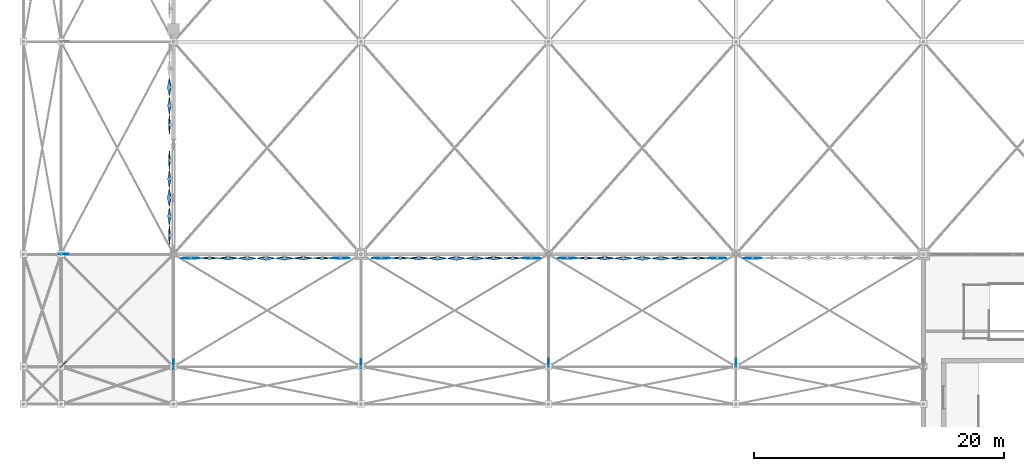
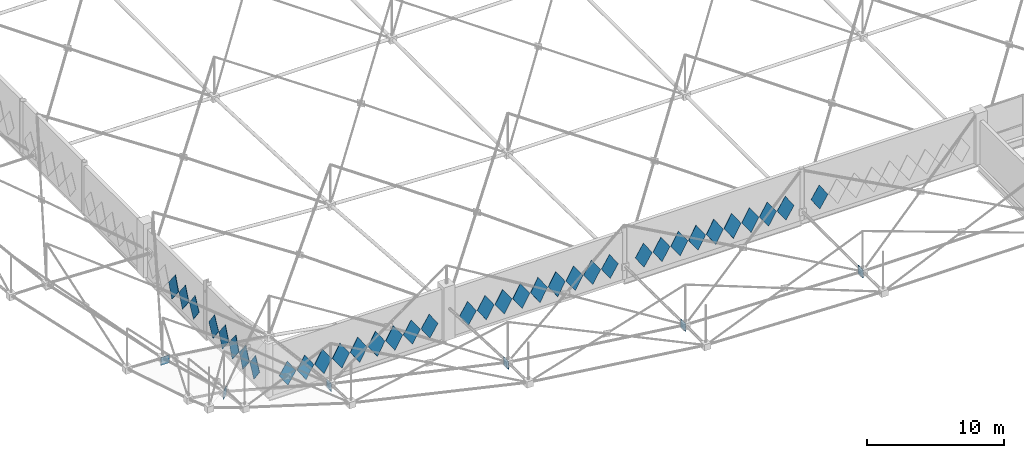
# One storey, part 159 of 224: 42 plates.
"""IFC4 building model written with IfcOpenShell, lengths in metres."""

from ifc_helpers import new_model, si_unit, direction, frame, origin, origin_2d, place, context, subcontext, project, spatial, polyline, rectangle, outline, extrude, material, layer, layer_set, type_object, element, save


model = new_model("IFC4")

# Units and contexts
model_context = context("Model", 3, precision=1e-05, world=origin(), true_north=direction((0.0, 1.0)))
body_context = subcontext(model_context, "Body", "Model", "MODEL_VIEW")
ifc_project = project(units=[si_unit("LENGTHUNIT", "METRE"), si_unit("AREAUNIT", "SQUARE_METRE"), si_unit("VOLUMEUNIT", "CUBIC_METRE"), si_unit("PLANEANGLEUNIT", "RADIAN"), si_unit("MASSUNIT", "GRAM", prefix="KILO")], contexts=[model_context])

# Site, building, storey
site_placement = place(None, origin())
site = spatial("IfcSite", under=ifc_project, at=site_placement, CompositionType="ELEMENT")
building_placement = place(site_placement, origin())
building = spatial("IfcBuilding", under=site, at=building_placement, Name="Qamarlyn Nura Convention Centre", CompositionType="ELEMENT")
storey_placement = place(building_placement, frame((0.0, 0.0, 10.800048828125)))
storey = spatial("IfcBuildingStorey", under=building, at=storey_placement, Name="L02", CompositionType="ELEMENT", Elevation=10.800048828125)

# Plates
ifc_material_1 = material(Name="White high-albedo PVDF aluminium composite sheet", Category="aluminium")
ifc_layer_1 = layer(ifc_material_1, 0.02001953125, Name="FP-DIAM-02")
ifc_layer_set_1 = layer_set([ifc_layer_1], Name="White high-albedo PVDF aluminium composite sheet")
plate_type_1 = type_object("IfcPlateType", Name="FP-DIAM-02", PredefinedType="SHEET", material=ifc_layer_set_1)
for number, where, z_axis, x_axis, name in (
    (1, (13.389404296875, 17.68994140625, 1.699951171875), (0.0, -0.998922518042, 0.046409082599), (1.0, 0.0, 0.0), "L02 pivoted white diamond facade tile 0242"),
    (2, (1.389404296875, 17.68994140625, 1.699951171875), (0.0, -0.998922518042, 0.046409082599), (1.0, 0.0, 0.0), "L02 pivoted white diamond facade tile 0250"),
    (3, (28.635986328125, 17.68994140625, 1.699951171875), (0.0, -0.998922518042, 0.046409082599), (1.0, 0.0, 0.0), "L02 pivoted white diamond facade tile 0251"),
    (4, (16.635986328125, 17.68994140625, 1.699951171875), (0.0, -0.998922518042, 0.046409082599), (1.0, 0.0, 0.0), "L02 pivoted white diamond facade tile 0259"),
    (5, (43.5, 17.68994140625, 1.699951171875), (0.0, -0.998922518042, 0.046409082599), (1.0, 0.0, 0.0), "L02 pivoted white diamond facade tile 0260"),
    (6, (31.5, 17.68994140625, 1.699951171875), (0.0, -0.998922518042, 0.046409082599), (1.0, 0.0, 0.0), "L02 pivoted white diamond facade tile 0268"),
    (7, (46.364013671875, 17.68994140625, 1.699951171875), (0.0, -0.998922518042, 0.046409082599), (1.0, 0.0, 0.0), "L02 pivoted white diamond facade tile 0277"),
):
    element("IfcPlate", number, at=place(storey_placement, frame(where, z_axis=z_axis, x_axis=x_axis)), inside=storey, type_object=plate_type_1, Name=name, PredefinedType="SHEET", context=body_context, shape_type="SweptSolid", body=[
        extrude(outline(polyline([(-0.719970703125, 0.0), (0.0, -1.050048828125), (0.719970703125, 0.0), (0.0, 1.050048828125), (-0.719970703125, 0.0)])), origin(), (0.0, 0.0, 1.0), 0.02001953125),
    ])
ifc_layer_2 = layer(ifc_material_1, 0.02392578125, Name="FP-DIAM-03")
ifc_layer_set_2 = layer_set([ifc_layer_2], Name="White high-albedo PVDF aluminium composite sheet")
plate_type_2 = type_object("IfcPlateType", Name="FP-DIAM-03", PredefinedType="SHEET", material=ifc_layer_set_2)
for number, where, z_axis, x_axis, name in (
    (8, (-0.31005859375, 19.520751953125, 1.699951171875), (-0.998059468659, 0.0, 0.062267945373), (0.0, -1.0, 0.0), "L02 pivoted white diamond facade tile 0195"),
    (9, (-0.31005859375, 25.520751953125, 1.699951171875), (-0.998059468659, 0.0, 0.062267945373), (0.0, -1.0, 0.0), "L02 pivoted white diamond facade tile 0199"),
    (10, (-0.31005859375, 28.36865234375, 1.699951171875), (-0.998059468659, 0.0, 0.062267945373), (0.0, -1.0, 0.0), "L02 pivoted white diamond facade tile 0200"),
):
    element("IfcPlate", number, at=place(storey_placement, frame(where, z_axis=z_axis, x_axis=x_axis)), inside=storey, type_object=plate_type_2, Name=name, PredefinedType="SHEET", context=body_context, shape_type="SweptSolid", body=[
        extrude(outline(polyline([(-0.719970703125, 0.0), (0.0, -1.050048828125), (0.719970703125, 0.0), (0.0, 1.050048828125), (-0.719970703125, 0.0)])), origin(), (0.0, 0.0, 1.0), 0.02392578125),
    ])
ifc_layer_3 = layer(ifc_material_1, 0.02587890625, Name="FP-DIAM-04")
ifc_layer_set_3 = layer_set([ifc_layer_3], Name="White high-albedo PVDF aluminium composite sheet")
plate_type_3 = type_object("IfcPlateType", Name="FP-DIAM-04", PredefinedType="SHEET", material=ifc_layer_set_3)
for number, where, z_axis, x_axis, name in (
    (11, (11.889404296875, 17.68994140625, 1.699951171875), (0.0, -0.996419457129, 0.084547415428), (1.0, 0.0, 0.0), "L02 pivoted white diamond facade tile 0243"),
    (12, (2.889404296875, 17.68994140625, 1.699951171875), (0.0, -0.996419457129, 0.084547415428), (1.0, 0.0, 0.0), "L02 pivoted white diamond facade tile 0249"),
    (13, (27.135986328125, 17.68994140625, 1.699951171875), (0.0, -0.996419457129, 0.084547415428), (1.0, 0.0, 0.0), "L02 pivoted white diamond facade tile 0252"),
    (14, (18.135986328125, 17.68994140625, 1.699951171875), (0.0, -0.996419457129, 0.084547415428), (1.0, 0.0, 0.0), "L02 pivoted white diamond facade tile 0258"),
    (15, (42.0, 17.68994140625, 1.699951171875), (0.0, -0.996419457129, 0.084547415428), (1.0, 0.0, 0.0), "L02 pivoted white diamond facade tile 0261"),
    (16, (33.0, 17.68994140625, 1.699951171875), (0.0, -0.996419457129, 0.084547415428), (1.0, 0.0, 0.0), "L02 pivoted white diamond facade tile 0267"),
):
    element("IfcPlate", number, at=place(storey_placement, frame(where, z_axis=z_axis, x_axis=x_axis)), inside=storey, type_object=plate_type_3, Name=name, PredefinedType="SHEET", context=body_context, shape_type="SweptSolid", body=[
        extrude(outline(polyline([(-0.719970703125, 0.0), (0.0, -1.050048828125), (0.719970703125, 0.0), (0.0, 1.050048828125), (-0.719970703125, 0.0)])), origin(), (0.0, 0.0, 1.0), 0.02587890625),
    ])
ifc_layer_4 = layer(ifc_material_1, 0.0380859375, Name="FP-DIAM-07")
ifc_layer_set_4 = layer_set([ifc_layer_4], Name="White high-albedo PVDF aluminium composite sheet")
plate_type_4 = type_object("IfcPlateType", Name="FP-DIAM-07", PredefinedType="SHEET", material=ifc_layer_set_4)
for number, where, z_axis, x_axis, name in (
    (17, (-0.31005859375, 21.020751953125, 1.699951171875), (-0.99271534578, 0.0, 0.120483369194), (0.0, -1.0, 0.0), "L02 pivoted white diamond facade tile 0196"),
    (18, (-0.31005859375, 24.020751953125, 1.699951171875), (-0.99271534578, 0.0, 0.120483369194), (0.0, -1.0, 0.0), "L02 pivoted white diamond facade tile 0198"),
    (19, (-0.31005859375, 29.86865234375, 1.699951171875), (-0.99271534578, 0.0, 0.120483369194), (0.0, -1.0, 0.0), "L02 pivoted white diamond facade tile 0201"),
    (20, (10.389404296875, 17.68994140625, 1.699951171875), (0.0, -0.993312448482, 0.115457263478), (1.0, 0.0, 0.0), "L02 pivoted white diamond facade tile 0244"),
    (21, (4.389404296875, 17.68994140625, 1.699951171875), (0.0, -0.993312448482, 0.115457263478), (1.0, 0.0, 0.0), "L02 pivoted white diamond facade tile 0248"),
    (22, (25.635986328125, 17.68994140625, 1.699951171875), (0.0, -0.993312448482, 0.115457263478), (1.0, 0.0, 0.0), "L02 pivoted white diamond facade tile 0253"),
    (23, (19.635986328125, 17.68994140625, 1.699951171875), (0.0, -0.993312448482, 0.115457263478), (1.0, 0.0, 0.0), "L02 pivoted white diamond facade tile 0257"),
    (24, (40.5, 17.68994140625, 1.699951171875), (0.0, -0.993312448482, 0.115457263478), (1.0, 0.0, 0.0), "L02 pivoted white diamond facade tile 0262"),
    (25, (34.5, 17.68994140625, 1.699951171875), (0.0, -0.993312448482, 0.115457263478), (1.0, 0.0, 0.0), "L02 pivoted white diamond facade tile 0266"),
):
    element("IfcPlate", number, at=place(storey_placement, frame(where, z_axis=z_axis, x_axis=x_axis)), inside=storey, type_object=plate_type_4, Name=name, PredefinedType="SHEET", context=body_context, shape_type="SweptSolid", body=[
        extrude(outline(polyline([(-0.719970703125, 0.0), (0.0, -1.050048828125), (0.719970703125, 0.0), (0.0, 1.050048828125), (-0.719970703125, 0.0)])), origin(), (0.0, 0.0, 1.0), 0.0380859375),
    ])
ifc_layer_5 = layer(ifc_material_1, 0.0439453125, Name="FP-DIAM-08")
ifc_layer_set_5 = layer_set([ifc_layer_5], Name="White high-albedo PVDF aluminium composite sheet")
plate_type_5 = type_object("IfcPlateType", Name="FP-DIAM-08", PredefinedType="SHEET", material=ifc_layer_set_5)
for number, where, z_axis, x_axis, name in (
    (26, (-0.31005859375, 22.520751953125, 1.699951171875), (-0.989776230908, 0.0, 0.142628933706), (0.0, -1.0, 0.0), "L02 pivoted white diamond facade tile 0197"),
    (27, (-0.31005859375, 31.36865234375, 1.699951171875), (-0.989776230908, 0.0, 0.142628933706), (0.0, -1.0, 0.0), "L02 pivoted white diamond facade tile 0202"),
    (28, (8.889404296875, 17.68994140625, 1.699951171875), (0.0, -0.990747840471, 0.135715572434), (1.0, 0.0, 0.0), "L02 pivoted white diamond facade tile 0245"),
    (29, (7.389404296875, 17.68994140625, 1.699951171875), (0.0, -0.989776230908, 0.142628933706), (1.0, 0.0, 0.0), "L02 pivoted white diamond facade tile 0246"),
    (30, (5.889404296875, 17.68994140625, 1.699951171875), (0.0, -0.990747840471, 0.135715572434), (1.0, 0.0, 0.0), "L02 pivoted white diamond facade tile 0247"),
    (31, (24.135986328125, 17.68994140625, 1.699951171875), (0.0, -0.990747840471, 0.135715572434), (1.0, 0.0, 0.0), "L02 pivoted white diamond facade tile 0254"),
    (32, (22.635986328125, 17.68994140625, 1.699951171875), (0.0, -0.989776230908, 0.142628933706), (1.0, 0.0, 0.0), "L02 pivoted white diamond facade tile 0255"),
    (33, (21.135986328125, 17.68994140625, 1.699951171875), (0.0, -0.990747840471, 0.135715572434), (1.0, 0.0, 0.0), "L02 pivoted white diamond facade tile 0256"),
    (34, (39.0, 17.68994140625, 1.699951171875), (0.0, -0.990747840471, 0.135715572434), (1.0, 0.0, 0.0), "L02 pivoted white diamond facade tile 0263"),
    (35, (37.5, 17.68994140625, 1.699951171875), (0.0, -0.989776230908, 0.142628933706), (1.0, 0.0, 0.0), "L02 pivoted white diamond facade tile 0264"),
    (36, (36.0, 17.68994140625, 1.699951171875), (0.0, -0.990747840471, 0.135715572434), (1.0, 0.0, 0.0), "L02 pivoted white diamond facade tile 0265"),
):
    element("IfcPlate", number, at=place(storey_placement, frame(where, z_axis=z_axis, x_axis=x_axis)), inside=storey, type_object=plate_type_5, Name=name, PredefinedType="SHEET", context=body_context, shape_type="SweptSolid", body=[
        extrude(outline(polyline([(-0.719970703125, 0.0), (0.0, -1.050048828125), (0.719970703125, 0.0), (0.0, 1.050048828125), (-0.719970703125, 0.0)])), origin(), (0.0, 0.0, 1.0), 0.0439453125),
    ])
ifc_material_2 = material(Name="Structural steel ASTM A572 Grade 50", Category="steel")
ifc_layer_6 = layer(ifc_material_2, 0.035888671875, Name="GP-SN1")
ifc_layer_set_6 = layer_set([ifc_layer_6], Name="Structural steel ASTM A572 Grade 50")
plate_type_6 = type_object("IfcPlateType", Name="GP-SN1", PredefinedType="USERDEFINED", material=ifc_layer_set_6)
for number, where, z_axis, x_axis, name in (
    (37, (0.0, 9.205078125, 5.87451171875), (0.0, 0.0, 1.0), (0.0, 1.0, 0.0), "Tree strut gusset plate S-2-H"),
    (38, (30.0, 9.273193359375, 0.703125), (0.0, 0.0, 1.0), (0.0, 1.0, 0.0), "Tree strut gusset plate S-4-H"),
):
    element("IfcPlate", number, at=place(storey_placement, frame(where, z_axis=z_axis, x_axis=x_axis)), inside=storey, type_object=plate_type_6, Name=name, ObjectType="GUSSET PLATE", PredefinedType="USERDEFINED", context=body_context, shape_type="SweptSolid", body=[
        extrude(rectangle(XDim=0.719970703125, YDim=0.035888671875, at=origin_2d()), origin(), (0.0, 0.0, 1.0), 0.719970703125),
    ])
ifc_layer_7 = layer(ifc_material_2, 0.0419921875, Name="GP-SN2")
ifc_layer_set_7 = layer_set([ifc_layer_7], Name="Structural steel ASTM A572 Grade 50")
plate_type_7 = type_object("IfcPlateType", Name="GP-SN2", PredefinedType="USERDEFINED", material=ifc_layer_set_7)
for number, where, z_axis, x_axis, name in (
    (39, (-8.794921875, 18.0, 5.87451171875), (0.0, 0.0, 1.0), (1.0, 0.0, 0.0), "Tree strut gusset plate W-2-H"),
    (40, (15.0, 9.24609375, 2.576171875), (0.0, 0.0, 1.0), (0.0, 1.0, 0.0), "Tree strut gusset plate S-3-H"),
    (41, (-8.840576171875, 9.159423828125, 8.33642578125), (0.0, 0.0, 1.0), (0.707106781187, 0.707106781187, 0.0), "Tree strut gusset plate SW-CRN-H"),
):
    element("IfcPlate", number, at=place(storey_placement, frame(where, z_axis=z_axis, x_axis=x_axis)), inside=storey, type_object=plate_type_7, Name=name, ObjectType="GUSSET PLATE", PredefinedType="USERDEFINED", context=body_context, shape_type="SweptSolid", body=[
        extrude(rectangle(XDim=0.719970703125, YDim=0.0419921875, at=origin_2d()), origin(), (0.0, 0.0, 1.0), 0.719970703125),
    ])
ifc_layer_8 = layer(ifc_material_2, 0.048095703125, Name="GP-SN3")
ifc_layer_set_8 = layer_set([ifc_layer_8], Name="Structural steel ASTM A572 Grade 50")
plate_type_8 = type_object("IfcPlateType", Name="GP-SN3", PredefinedType="USERDEFINED", material=ifc_layer_set_8)
plate_placement = place(storey_placement, frame((45.0, 9.280029296875, 0.2470703125), z_axis=(0.0, 0.0, 1.0), x_axis=(0.0, 1.0, 0.0)))
element("IfcPlate", 42, at=plate_placement, inside=storey, type_object=plate_type_8, Name="Tree strut gusset plate S-5-H", ObjectType="GUSSET PLATE", PredefinedType="USERDEFINED", context=body_context, shape_type="SweptSolid", body=[
    extrude(rectangle(XDim=0.719970703125, YDim=0.048095703125, at=origin_2d()), origin(), (0.0, 0.0, 1.0), 0.719970703125),
])

save(model, "model.ifc")
